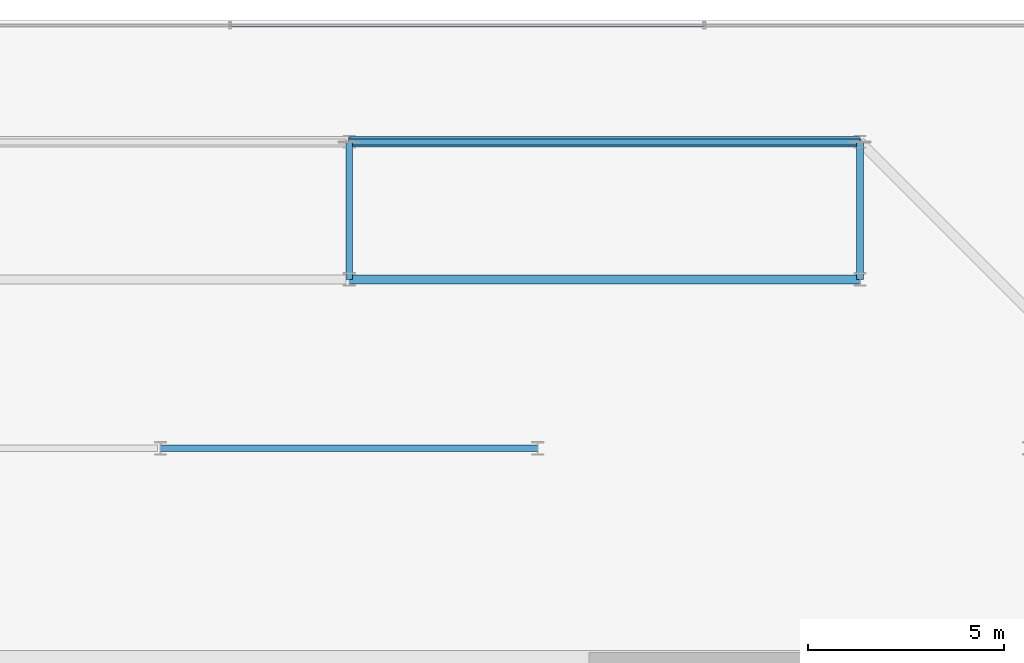
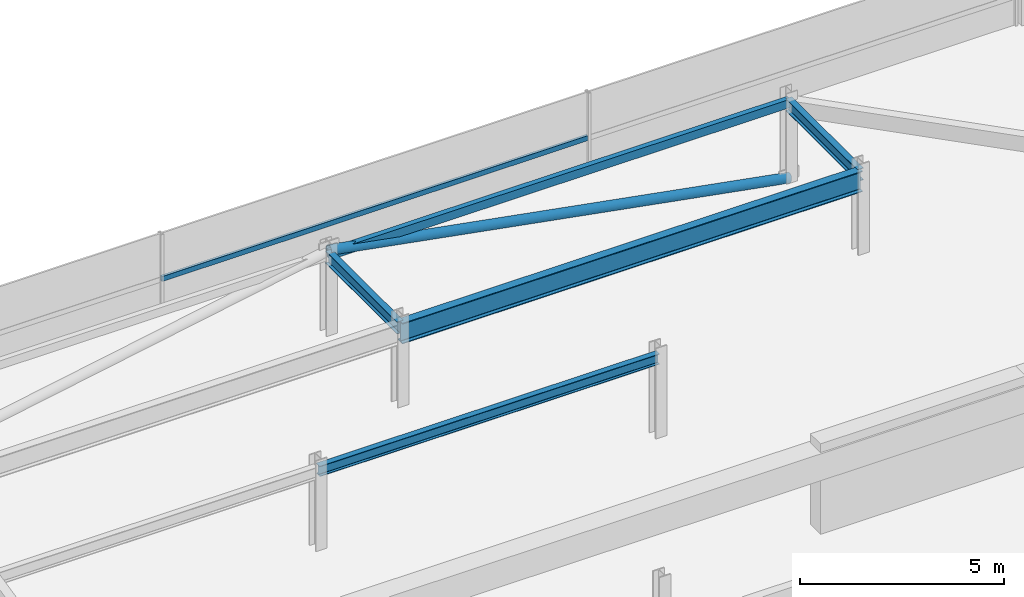
# One storey, part 34 of 42: 5 beams, 2 members, 1 element without a shape of its own.
"""IFC4 building model written with IfcOpenShell, lengths in metres."""

from ifc_helpers import new_model, si_unit, direction, frame, origin, origin_2d, place, context, subcontext, project, spatial, hollow_rectangle, hollow_circle, i_section, extrude, material, material_profile, profile_set, type_object, element, aggregate, save


model = new_model("IFC4")

# Units and contexts
model_context = context("Model", 3, precision=1e-05, world=origin(), true_north=direction((0.0, 1.0)))
body_context = subcontext(model_context, "Body", "Model", "MODEL_VIEW")
ifc_project = project(units=[si_unit("LENGTHUNIT", "METRE"), si_unit("AREAUNIT", "SQUARE_METRE"), si_unit("VOLUMEUNIT", "CUBIC_METRE"), si_unit("PLANEANGLEUNIT", "RADIAN"), si_unit("MASSUNIT", "GRAM", prefix="KILO")], contexts=[model_context])

# Site, building, storey
site_placement = place(None, origin())
site = spatial("IfcSite", under=ifc_project, at=site_placement, CompositionType="ELEMENT")
building_placement = place(site_placement, origin())
building = spatial("IfcBuilding", under=site, at=building_placement, Name="Thornwick Lancets Civic Towers", CompositionType="ELEMENT")
storey_placement = place(building_placement, frame((0.0, 0.0, 286.800048828125)))
storey = spatial("IfcBuildingStorey", under=building, at=storey_placement, Name="C03", CompositionType="ELEMENT", Elevation=286.800048828125)

# Beams
ifc_material_1 = material(Name="Steel S355JR", Category="steel")
ifc_material_profile_1 = material_profile(ifc_material_1, hollow_rectangle(XDim=0.14990234375, YDim=0.25, WallThickness=0.012451171875, at=origin_2d()), Name="RHS 250x150x12.5")
ifc_profile_set_1 = profile_set([ifc_material_profile_1], Name="Steel S355JR")
beam_type_1 = type_object("IfcBeamType", Name="BM_CROWN_RHS250", PredefinedType="BEAM", material=ifc_profile_set_1)
beam_1_placement = place(storey_placement, frame((101.5, 47.800048828125, 2.31494140625), z_axis=(-1.0, 0.0, 0.0), x_axis=(0.0, -1.0, 0.0)))
element("IfcBeam", 1, at=beam_1_placement, inside=storey, type_object=beam_type_1, Name="BM-EDGE-C03-B-S1-1", PredefinedType="BEAM", context=body_context, shape_type="SweptSolid", body=[
    extrude(hollow_rectangle(XDim=0.14990234375, YDim=0.25, WallThickness=0.012451171875, at=origin_2d()), origin(), (0.0, 0.0, 1.0), 13.0),
])
ifc_material_profile_2 = material_profile(ifc_material_1, i_section(OverallWidth=0.230224609375, OverallDepth=0.6171875, WebThickness=0.01318359375, FlangeThickness=0.022216796875, FilletRadius=0.0126953125, at=origin_2d()), Name="UKB 610x229x140")
ifc_profile_set_2 = profile_set([ifc_material_profile_2], Name="Steel S355JR")
beam_type_2 = type_object("IfcBeamType", Name="BM_GIRD_610_140", PredefinedType="BEAM", material=ifc_profile_set_2)
beam_2_placement = place(storey_placement, frame((101.5, 44.300048828125, 2.13134765625), z_axis=(-1.0, 0.0, 0.0), x_axis=(0.0, -1.0, 0.0)))
element("IfcBeam", 2, at=beam_2_placement, inside=storey, type_object=beam_type_2, Name="BM-SPINE-C03-B-3-4", PredefinedType="BEAM", context=body_context, shape_type="SweptSolid", body=[
    extrude(i_section(OverallWidth=0.230224609375, OverallDepth=0.6171875, WebThickness=0.01318359375, FlangeThickness=0.022216796875, FilletRadius=0.0126953125, at=origin_2d()), origin(), (0.0, 0.0, 1.0), 13.0),
])
ifc_material_profile_3 = material_profile(ifc_material_1, i_section(OverallWidth=0.173095703125, OverallDepth=0.36328125, WebThickness=0.009033203125, FlangeThickness=0.015625, FilletRadius=0.01025390625, at=origin_2d()), Name="UKB 356x171x67")
ifc_profile_set_3 = profile_set([ifc_material_profile_3], Name="Steel S355JR")
beam_type_3 = type_object("IfcBeamType", Name="BM_JOIST_356_67", PredefinedType="JOIST", material=ifc_profile_set_3)
for number, where, z_axis, x_axis, name in (
    (3, (101.5, 44.300048828125, 2.25830078125), (0.0, 1.0, 0.0), (-1.0, 0.0, 0.0), "BM-RAD-C03-B04"),
    (4, (88.5, 44.300048828125, 2.25830078125), (0.0, 1.0, 0.0), (-1.0, 0.0, 0.0), "BM-RAD-C03-B05"),
):
    element("IfcBeam", number, at=place(storey_placement, frame(where, z_axis=z_axis, x_axis=x_axis)), inside=storey, type_object=beam_type_3, Name=name, PredefinedType="JOIST", context=body_context, shape_type="SweptSolid", body=[
        extrude(i_section(OverallWidth=0.173095703125, OverallDepth=0.36328125, WebThickness=0.009033203125, FlangeThickness=0.015625, FilletRadius=0.01025390625, at=origin_2d()), origin(), (0.0, 0.0, 1.0), 3.5),
    ])
ifc_material_profile_4 = material_profile(ifc_material_1, i_section(OverallWidth=0.1669921875, OverallDepth=0.310302734375, WebThickness=0.0078125, FlangeThickness=0.013671875, FilletRadius=0.0087890625, at=origin_2d()), Name="UKB 305x165x54")
ifc_profile_set_4 = profile_set([ifc_material_profile_4], Name="Steel S355JR")
beam_type_4 = type_object("IfcBeamType", Name="BM_LINTEL_305_54", PredefinedType="LINTEL", material=ifc_profile_set_4)
beam_3_placement = place(storey_placement, frame((93.300048828125, 40.0, 2.28466796875), z_axis=(-1.0, 0.0, 0.0), x_axis=(0.0, -1.0, 0.0)))
element("IfcBeam", 5, at=beam_3_placement, inside=storey, type_object=beam_type_4, Name="BM-INSP-C03-B-1-3", PredefinedType="LINTEL", context=body_context, shape_type="SweptSolid", body=[
    extrude(i_section(OverallWidth=0.1669921875, OverallDepth=0.310302734375, WebThickness=0.0078125, FlangeThickness=0.013671875, FilletRadius=0.0087890625, at=origin_2d()), origin(), (0.0, 0.0, 1.0), 9.60009765625),
])

# Curtain wall, member
ifc_material_2 = material(Name="Crown ring acoustic-louvre and glazing screen wall", Category="glass")
curtain_wall_type = type_object("IfcCurtainWallType", Name="CW_SYS_07", PredefinedType="NOTDEFINED", material=ifc_material_2)
curtain_wall_placement = place(storey_placement, origin())
curtain_wall = element("IfcCurtainWall", 6, at=curtain_wall_placement, inside=storey, type_object=curtain_wall_type, Name="C03 Curtain Wall CW-C03-B-E4", PredefinedType="NOTDEFINED")
ifc_material_3 = material(Name="Thermally broken bronze aluminium S355", Category="steel")
ifc_material_profile_5 = material_profile(ifc_material_3, hollow_rectangle(XDim=0.074951171875, YDim=0.14990234375, WallThickness=0.0048828125, at=origin_2d()), Name="RHS 150x75x5")
ifc_profile_set_5 = profile_set([ifc_material_profile_5], Name="Thermally broken bronze aluminium S355")
member_type_1 = type_object("IfcMemberType", Name="CW_TRN_150", PredefinedType="USERDEFINED", material=ifc_profile_set_5)
member_1_placement = place(storey_placement, frame((97.513916015625, 50.7646484375, 0.849853515625), z_axis=(-1.0, 0.0, 0.0), x_axis=(0.0, -1.0, 0.0)))
member_1 = element("IfcMember", 7, at=member_1_placement, type_object=member_type_1, Name="CW-C03-B-E4 Transom 1", ObjectType="TRANSOM", PredefinedType="USERDEFINED", context=body_context, shape_type="SweptSolid", body=[
    extrude(hollow_rectangle(XDim=0.074951171875, YDim=0.14990234375, WallThickness=0.0048828125, at=origin_2d()), origin(), (0.0, 0.0, 1.0), 12.02783203125),
])
aggregate(curtain_wall, [member_1])

# Member
ifc_material_profile_6 = material_profile(ifc_material_1, hollow_circle(Radius=0.136474609375, WallThickness=0.012451171875, at=origin_2d()), Name="CHS 273x12.5")
ifc_profile_set_6 = profile_set([ifc_material_profile_6], Name="Steel S355JR")
member_type_2 = type_object("IfcMemberType", Name="MEM_CROWN_CHS273", PredefinedType="BRACE", material=ifc_profile_set_6)
member_2_placement = place(storey_placement, frame((101.5, 47.800048828125, 0.050048828125), z_axis=(-0.98351842104, 0.0, 0.180807951915), x_axis=(0.0, -1.0, 0.0)))
element("IfcMember", 8, at=member_2_placement, inside=storey, type_object=member_type_2, Name="C03 Crown Ring Lancet Rib B-S1-L", PredefinedType="BRACE", context=body_context, shape_type="SweptSolid", body=[
    extrude(hollow_circle(Radius=0.136474609375, WallThickness=0.012451171875, at=origin_2d()), origin(), (0.0, 0.0, 1.0), 13.2177734375),
])

save(model, "model.ifc")
